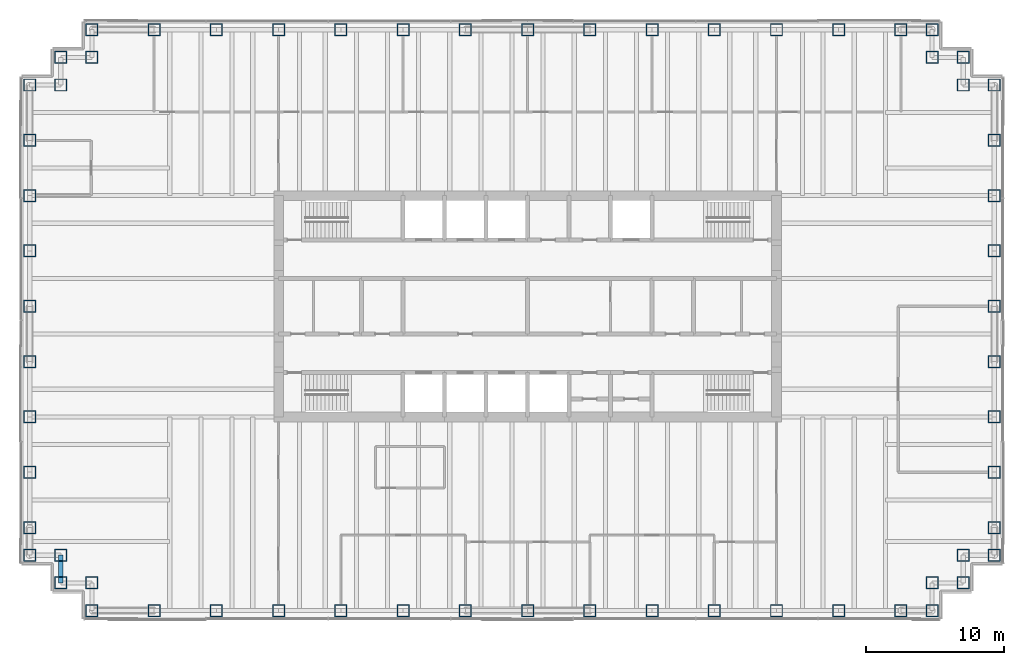
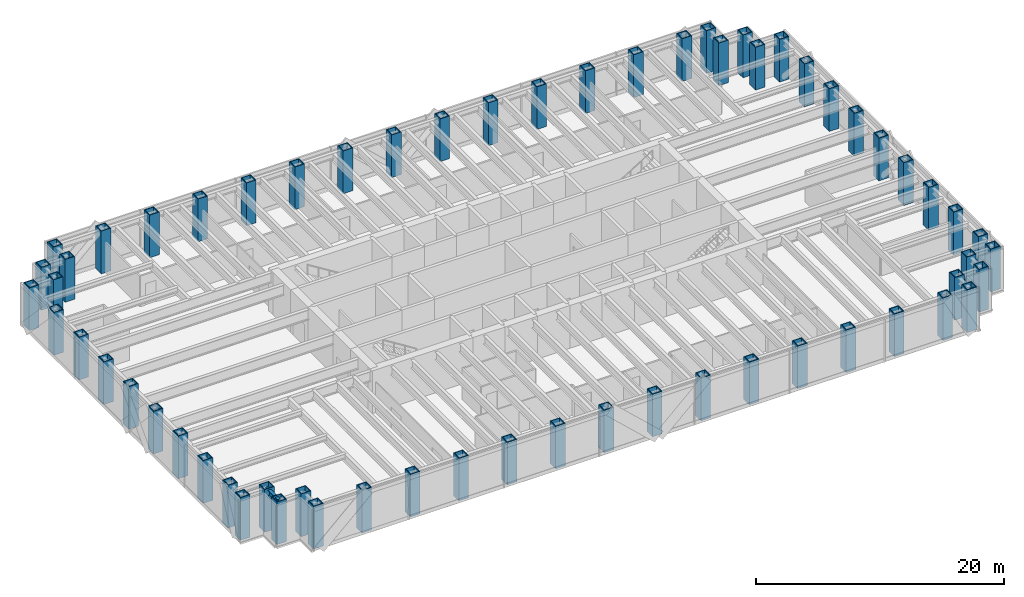
# One storey, part 1 of 15: 62 columns, 1 beam.
"""IFC4 building model written with IfcOpenShell, lengths in metres."""

import ifcopenshell
import ifcopenshell.guid

model = None  # the IFC model being written
_history = None  # IfcOwnerHistory: only IFC2X3 demands one
_inside = {}  # id of a spatial element -> (the spatial element, [elements in it])
_under = {}  # id of a project, library or spatial element -> (it, [spatial elements below it])
_declared = {}  # id of a project -> (the project, [libraries it declares])
_typed = {}  # id of a type object -> (the type object, [elements of that type])
_made_of = {}  # id of a material, layer set ... -> (it, [elements and type objects made of it])


def new_model(schema):
    """Start an empty IFC model of exactly this schema.

    Asked for "IFC4X3", IfcOpenShell would pick the latest addendum, in which some entities
    have other attributes; the version numbers below select the first issue.
    IFC2X3 requires an IfcOwnerHistory on every rooted entity: one is made here for all.
    """
    global model, _history
    if schema == "IFC4X3":
        model = ifcopenshell.file(schema_version=(4, 3, 0, 0))
    else:
        model = ifcopenshell.file(schema=schema)
    _inside.clear()
    _under.clear()
    _declared.clear()
    _typed.clear()
    _made_of.clear()
    _history = None
    if model.schema == "IFC2X3":
        org = make("IfcOrganization", Name="unknown")
        user = make(
            "IfcPersonAndOrganization",
            ThePerson=make("IfcPerson", FamilyName="unknown"),
            TheOrganization=org,
        )
        app = make(
            "IfcApplication",
            ApplicationDeveloper=org,
            Version="unknown",
            ApplicationFullName="unknown",
            ApplicationIdentifier="unknown",
        )
        _history = make(
            "IfcOwnerHistory",
            OwningUser=user,
            OwningApplication=app,
            ChangeAction="ADDED",
            CreationDate=0,
        )
    return model


def make(cls, **values):
    """One entity of the class cls with the attributes given. An attribute that is None is left unset."""
    return model.create_entity(
        cls, **{name: value for name, value in values.items() if value is not None}
    )


def rooted(cls, **values):
    """An entity with a GlobalId (a new one), such as an element, a storey or a relation."""
    return make(cls, GlobalId=ifcopenshell.guid.new(), OwnerHistory=_history, **values)


def si_unit(unit_type, name, prefix=None):
    """IfcSIUnit, for example si_unit("LENGTHUNIT", "METRE", prefix="MILLI")."""
    return make("IfcSIUnit", UnitType=unit_type, Prefix=prefix, Name=name)


def assignment(units):
    """IfcUnitAssignment: the units of a project."""
    return None if units is None else make("IfcUnitAssignment", Units=units)


def point(xyz):
    """IfcCartesianPoint."""
    return None if xyz is None else make("IfcCartesianPoint", Coordinates=xyz)


def direction(xyz):
    """IfcDirection."""
    return None if xyz is None else make("IfcDirection", DirectionRatios=xyz)


def frame(location, z_axis=None, x_axis=None):
    """IfcAxis2Placement3D, a coordinate frame: its origin and axes. An axis left out is left unset."""
    return make(
        "IfcAxis2Placement3D",
        Location=point(location),
        Axis=direction(z_axis),
        RefDirection=direction(x_axis),
    )


def frame_2d(location, x_axis=None):
    """IfcAxis2Placement2D, a coordinate frame in the plane: its origin and x axis."""
    return make(
        "IfcAxis2Placement2D", Location=point(location), RefDirection=direction(x_axis)
    )


def origin():
    """The frame at (0, 0, 0) with its axes left unset."""
    return frame((0.0, 0.0, 0.0))


def origin_2d():
    """The frame at (0, 0) in the plane with its x axis left unset."""
    return frame_2d((0.0, 0.0))


def place(relative_to, where):
    """IfcLocalPlacement: puts the frame where relative to a parent placement (None: the world)."""
    return make(
        "IfcLocalPlacement", PlacementRelTo=relative_to, RelativePlacement=where
    )


def context(
    kind, dimensions, precision=None, world=None, true_north=None, identifier=None
):
    """IfcGeometricRepresentationContext, for example the 3D "Model" context."""
    return make(
        "IfcGeometricRepresentationContext",
        ContextIdentifier=identifier,
        ContextType=kind,
        CoordinateSpaceDimension=dimensions,
        Precision=precision,
        WorldCoordinateSystem=world,
        TrueNorth=true_north,
    )


def subcontext(parent, identifier, kind, view, scale=None):
    """IfcGeometricRepresentationSubContext, for example "Body" below "Model"."""
    return make(
        "IfcGeometricRepresentationSubContext",
        ContextIdentifier=identifier,
        ContextType=kind,
        ParentContext=parent,
        TargetScale=scale,
        TargetView=view,
    )


def project(units=None, contexts=None):
    """IfcProject with its units and contexts."""
    return rooted(
        "IfcProject",
        Name="project",
        RepresentationContexts=contexts,
        UnitsInContext=assignment(units),
    )


def spatial(cls, under=None, at=None, **own):
    """A site, building, storey or space (cls), placed at a placement, below another one or the project."""
    s = rooted(cls, ObjectPlacement=at, **own)
    if under is not None:
        _under.setdefault(under.id(), (under, []))[1].append(s)
    return s


def profile(cls, at=None, kind="AREA", **sizes):
    """A parametric profile (cls). Its sizes go by their IFC names, for example OverallWidth=200.0."""
    return make(cls, ProfileType=kind, Position=at, **sizes)


def hollow_rectangle(**sizes):
    """IfcRectangleHollowProfileDef."""
    return profile("IfcRectangleHollowProfileDef", **sizes)


def i_section(**sizes):
    """IfcIShapeProfileDef."""
    return profile("IfcIShapeProfileDef", **sizes)


def extrude(swept, where, along, depth):
    """IfcExtrudedAreaSolid: the profile swept, set in the frame where, extruded along a direction by depth."""
    return make(
        "IfcExtrudedAreaSolid",
        SweptArea=swept,
        Position=where,
        ExtrudedDirection=direction(along),
        Depth=depth,
    )


def shape(context_of_items, identifier, shape_type, items):
    """IfcShapeRepresentation: the items that make up one representation, for example the "Body"."""
    return make(
        "IfcShapeRepresentation",
        ContextOfItems=context_of_items,
        RepresentationIdentifier=identifier,
        RepresentationType=shape_type,
        Items=items,
    )


def material(Name=None, Category=None):
    """IfcMaterial."""
    return make("IfcMaterial", Name=Name, Category=Category)


def material_profile(
    of_material, cross_section, Name=None, Category=None, Priority=None
):
    """IfcMaterialProfile: a cross section and its material."""
    return make(
        "IfcMaterialProfile",
        Name=Name,
        Material=of_material,
        Profile=cross_section,
        Priority=Priority,
        Category=Category,
    )


def profile_set(profiles, Name=None, composite=None):
    """IfcMaterialProfileSet."""
    return make(
        "IfcMaterialProfileSet",
        Name=Name,
        MaterialProfiles=profiles,
        CompositeProfile=composite,
    )


def made_of(thing, what):
    """Note that an element or type object is made of a material, layer set ...; save() writes the relation."""
    if what is not None:
        _made_of.setdefault(what.id(), (what, []))[1].append(thing)
    return thing


def type_object(cls, material=None, **own):
    """A type object (cls), such as IfcWallType, which elements share."""
    return made_of(rooted(cls, **own), material)


def element(
    cls,
    number,
    at=None,
    inside=None,
    cuts=None,
    type_object=None,
    material=None,
    context=None,
    identifier="Body",
    shape_type=None,
    held_by="IfcProductDefinitionShape",
    body=None,
    shapes=None,
    **own,
):
    """One element of the class cls, such as IfcWall. Its Tag is "e" and its number.

    at: its placement. inside: the storey or other place that contains it. cuts: it is an
    opening in that element (IfcRelVoidsElement). A single representation is given by context,
    identifier, shape_type and body (its items); several are given by shapes. held_by: the class
    of the entity that holds the representations. save() writes the other relations.
    """
    e = rooted(cls, Tag="e%d" % number, ObjectPlacement=at, **own)
    if body is not None:
        shapes = [shape(context, identifier, shape_type, body)]
    if shapes is not None:
        e.Representation = make(held_by, Representations=shapes)
    if inside is not None:
        _inside.setdefault(inside.id(), (inside, []))[1].append(e)
    if cuts is not None:
        rooted(
            "IfcRelVoidsElement", RelatingBuildingElement=cuts, RelatedOpeningElement=e
        )
    if type_object is not None:
        _typed.setdefault(type_object.id(), (type_object, []))[1].append(e)
    return made_of(e, material)


def aggregate(whole, parts):
    """IfcRelAggregates: a whole, such as a stair, and the parts it consists of."""
    return rooted("IfcRelAggregates", RelatingObject=whole, RelatedObjects=parts)


def save(model, path):
    """Write the relations noted so far, then the file.

    IfcRelAggregates (storeys below a building ...), IfcRelContainedInSpatialStructure (elements
    in a storey), IfcRelDefinesByType, IfcRelAssociatesMaterial and IfcRelDeclares: one each for
    every whole, place, type object, material and project.
    """
    for whole, parts in _under.values():
        aggregate(whole, parts)
    for where, things in _inside.values():
        rooted(
            "IfcRelContainedInSpatialStructure",
            RelatedElements=things,
            RelatingStructure=where,
        )
    for kind, things in _typed.values():
        rooted("IfcRelDefinesByType", RelatedObjects=things, RelatingType=kind)
    for what, things in _made_of.values():
        rooted("IfcRelAssociatesMaterial", RelatedObjects=things, RelatingMaterial=what)
    for by, libraries in _declared.values():
        rooted("IfcRelDeclares", RelatingContext=by, RelatedDefinitions=libraries)
    model.write(path)


model = new_model("IFC4")

# Units and contexts
model_context = context("Model", 3, precision=1e-05, world=origin(), true_north=direction((0.0, 1.0)))
body_context = subcontext(model_context, "Body", "Model", "MODEL_VIEW")
ifc_project = project(units=[si_unit("LENGTHUNIT", "METRE"), si_unit("AREAUNIT", "SQUARE_METRE"), si_unit("VOLUMEUNIT", "CUBIC_METRE"), si_unit("PLANEANGLEUNIT", "RADIAN"), si_unit("MASSUNIT", "GRAM", prefix="KILO")], contexts=[model_context])

# Site, building, storey
site_placement = place(None, origin())
site = spatial("IfcSite", under=ifc_project, at=site_placement, CompositionType="ELEMENT")
building_placement = place(site_placement, origin())
building = spatial("IfcBuilding", under=site, at=building_placement, Name="Rheinbord Bourse Tower", CompositionType="ELEMENT")
storey_placement = place(building_placement, frame((0.0, 0.0, 275.300048828125)))
storey = spatial("IfcBuildingStorey", under=building, at=storey_placement, Name="L62", CompositionType="ELEMENT", Elevation=275.300048828125)

# Columns
ifc_material_1 = material(Name="Steel S460M", Category="steel")
ifc_material_profile_1 = material_profile(ifc_material_1, hollow_rectangle(XDim=0.89990234375, YDim=0.89990234375, WallThickness=0.070068359375, at=origin_2d()), Name="BOX 900x900x70")
ifc_profile_set_1 = profile_set([ifc_material_profile_1], Name="Steel S460M")
column_type = type_object("IfcColumnType", Name="TUBE COLUMN BOX 900x900x70", PredefinedType="COLUMN", material=ifc_profile_set_1)
for number, where, z_axis, x_axis, name in (
    (1, (4.5, 2.0, 0.0), (0.0, 0.0, 1.0), (0.0, 1.0, 0.0), "Column SW-E L62"),
    (2, (9.0, 2.0, 0.0), (0.0, 0.0, 1.0), (0.0, 1.0, 0.0), "Column S-9 L62"),
    (3, (13.5, 2.0, 0.0), (0.0, 0.0, 1.0), (0.0, 1.0, 0.0), "Column S-13.5 L62"),
    (4, (18.0, 2.0, 0.0), (0.0, 0.0, 1.0), (0.0, 1.0, 0.0), "Column S-18 L62"),
    (5, (22.5, 2.0, 0.0), (0.0, 0.0, 1.0), (0.0, 1.0, 0.0), "Column S-22.5 L62"),
    (6, (27.0, 2.0, 0.0), (0.0, 0.0, 1.0), (0.0, 1.0, 0.0), "Column S-27 L62"),
    (7, (31.5, 2.0, 0.0), (0.0, 0.0, 1.0), (0.0, 1.0, 0.0), "Column S-31.5 L62"),
    (8, (36.0, 2.0, 0.0), (0.0, 0.0, 1.0), (0.0, 1.0, 0.0), "Column S-36 L62"),
    (9, (40.5, 2.0, 0.0), (0.0, 0.0, 1.0), (0.0, 1.0, 0.0), "Column S-40.5 L62"),
    (10, (45.0, 2.0, 0.0), (0.0, 0.0, 1.0), (0.0, 1.0, 0.0), "Column S-45 L62"),
    (11, (49.5, 2.0, 0.0), (0.0, 0.0, 1.0), (0.0, 1.0, 0.0), "Column S-49.5 L62"),
    (12, (54.0, 2.0, 0.0), (0.0, 0.0, 1.0), (0.0, 1.0, 0.0), "Column S-54 L62"),
    (13, (58.5, 2.0, 0.0), (0.0, 0.0, 1.0), (0.0, 1.0, 0.0), "Column S-58.5 L62"),
    (14, (63.0, 2.0, 0.0), (0.0, 0.0, 1.0), (0.0, 1.0, 0.0), "Column S-63 L62"),
    (15, (65.25, 2.0, 0.0), (0.0, 0.0, 1.0), (0.0, 1.0, 0.0), "Column SE-E L62"),
    (16, (65.25, 4.0, 0.0), (0.0, 0.0, 1.0), (0.0, 1.0, 0.0), "Column SE-D L62"),
    (17, (67.5, 4.0, 0.0), (0.0, 0.0, 1.0), (1.0, 0.0, 0.0), "Column SE-C L62"),
    (18, (67.5, 6.0, 0.0), (0.0, 0.0, 1.0), (1.0, 0.0, 0.0), "Column SE-B L62"),
    (19, (69.75, 6.0, 0.0), (0.0, 0.0, 1.0), (1.0, 0.0, 0.0), "Column SE-A L62"),
    (20, (69.75, 8.0, 0.0), (0.0, 0.0, 1.0), (1.0, 0.0, 0.0), "Column E-8 L62"),
    (21, (69.75, 12.0, 0.0), (0.0, 0.0, 1.0), (1.0, 0.0, 0.0), "Column E-12 L62"),
    (22, (69.75, 16.0, 0.0), (0.0, 0.0, 1.0), (1.0, 0.0, 0.0), "Column E-16 L62"),
    (23, (69.75, 20.0, 0.0), (0.0, 0.0, 1.0), (1.0, 0.0, 0.0), "Column E-20 L62"),
    (24, (69.75, 24.0, 0.0), (0.0, 0.0, 1.0), (1.0, 0.0, 0.0), "Column E-24 L62"),
    (25, (69.75, 28.0, 0.0), (0.0, 0.0, 1.0), (1.0, 0.0, 0.0), "Column E-28 L62"),
    (26, (69.75, 32.0, 0.0), (0.0, 0.0, 1.0), (1.0, 0.0, 0.0), "Column E-32 L62"),
    (27, (69.75, 36.0, 0.0), (0.0, 0.0, 1.0), (1.0, 0.0, 0.0), "Column E-36 L62"),
    (28, (69.75, 40.0, 0.0), (0.0, 0.0, 1.0), (1.0, 0.0, 0.0), "Column NE-A L62"),
    (29, (67.5, 40.0, 0.0), (0.0, 0.0, 1.0), (1.0, 0.0, 0.0), "Column NE-B L62"),
    (30, (67.5, 42.0, 0.0), (0.0, 0.0, 1.0), (1.0, 0.0, 0.0), "Column NE-C L62"),
    (31, (65.25, 42.0, 0.0), (0.0, 0.0, 1.0), (0.0, 1.0, 0.0), "Column NE-D L62"),
    (32, (65.25, 44.0, 0.0), (0.0, 0.0, 1.0), (0.0, 1.0, 0.0), "Column NE-E L62"),
    (33, (63.0, 44.0, 0.0), (0.0, 0.0, 1.0), (0.0, 1.0, 0.0), "Column N-63 L62"),
    (34, (58.5, 44.0, 0.0), (0.0, 0.0, 1.0), (0.0, 1.0, 0.0), "Column N-58.5 L62"),
    (35, (54.0, 44.0, 0.0), (0.0, 0.0, 1.0), (0.0, 1.0, 0.0), "Column N-54 L62"),
    (36, (49.5, 44.0, 0.0), (0.0, 0.0, 1.0), (0.0, 1.0, 0.0), "Column N-49.5 L62"),
    (37, (45.0, 44.0, 0.0), (0.0, 0.0, 1.0), (0.0, 1.0, 0.0), "Column N-45 L62"),
    (38, (40.5, 44.0, 0.0), (0.0, 0.0, 1.0), (0.0, 1.0, 0.0), "Column N-40.5 L62"),
    (39, (36.0, 44.0, 0.0), (0.0, 0.0, 1.0), (0.0, 1.0, 0.0), "Column N-36 L62"),
    (40, (31.5, 44.0, 0.0), (0.0, 0.0, 1.0), (0.0, 1.0, 0.0), "Column N-31.5 L62"),
    (41, (27.0, 44.0, 0.0), (0.0, 0.0, 1.0), (0.0, 1.0, 0.0), "Column N-27 L62"),
    (42, (22.5, 44.0, 0.0), (0.0, 0.0, 1.0), (0.0, 1.0, 0.0), "Column N-22.5 L62"),
    (43, (18.0, 44.0, 0.0), (0.0, 0.0, 1.0), (0.0, 1.0, 0.0), "Column N-18 L62"),
    (44, (13.5, 44.0, 0.0), (0.0, 0.0, 1.0), (0.0, 1.0, 0.0), "Column N-13.5 L62"),
    (45, (9.0, 44.0, 0.0), (0.0, 0.0, 1.0), (0.0, 1.0, 0.0), "Column N-9 L62"),
    (46, (4.5, 44.0, 0.0), (0.0, 0.0, 1.0), (0.0, 1.0, 0.0), "Column NW-E L62"),
    (47, (4.5, 42.0, 0.0), (0.0, 0.0, 1.0), (0.0, 1.0, 0.0), "Column NW-D L62"),
    (48, (2.25, 42.0, 0.0), (0.0, 0.0, 1.0), (1.0, 0.0, 0.0), "Column NW-C L62"),
    (49, (2.25, 40.0, 0.0), (0.0, 0.0, 1.0), (1.0, 0.0, 0.0), "Column NW-B L62"),
    (50, (0.0, 40.0, 0.0), (0.0, 0.0, 1.0), (1.0, 0.0, 0.0), "Column NW-A L62"),
    (51, (0.0, 36.0, 0.0), (0.0, 0.0, 1.0), (1.0, 0.0, 0.0), "Column W-36 L62"),
    (52, (0.0, 32.0, 0.0), (0.0, 0.0, 1.0), (1.0, 0.0, 0.0), "Column W-32 L62"),
    (53, (0.0, 28.0, 0.0), (0.0, 0.0, 1.0), (1.0, 0.0, 0.0), "Column W-28 L62"),
    (54, (0.0, 24.0, 0.0), (0.0, 0.0, 1.0), (1.0, 0.0, 0.0), "Column W-24 L62"),
    (55, (0.0, 20.0, 0.0), (0.0, 0.0, 1.0), (1.0, 0.0, 0.0), "Column W-20 L62"),
    (56, (0.0, 16.0, 0.0), (0.0, 0.0, 1.0), (1.0, 0.0, 0.0), "Column W-16 L62"),
    (57, (0.0, 12.0, 0.0), (0.0, 0.0, 1.0), (1.0, 0.0, 0.0), "Column W-12 L62"),
    (58, (0.0, 8.0, 0.0), (0.0, 0.0, 1.0), (1.0, 0.0, 0.0), "Column W-8 L62"),
    (59, (0.0, 6.0, 0.0), (0.0, 0.0, 1.0), (1.0, 0.0, 0.0), "Column SW-A L62"),
    (60, (2.25, 6.0, 0.0), (0.0, 0.0, 1.0), (1.0, 0.0, 0.0), "Column SW-B L62"),
    (61, (2.25, 4.0, 0.0), (0.0, 0.0, 1.0), (1.0, 0.0, 0.0), "Column SW-C L62"),
    (62, (4.5, 4.0, 0.0), (0.0, 0.0, 1.0), (0.0, 1.0, 0.0), "Column SW-D L62"),
):
    element("IfcColumn", number, at=place(storey_placement, frame(where, z_axis=z_axis, x_axis=x_axis)), inside=storey, type_object=column_type, Name=name, PredefinedType="COLUMN", context=body_context, shape_type="SweptSolid", body=[
        extrude(hollow_rectangle(XDim=0.89990234375, YDim=0.89990234375, WallThickness=0.070068359375, at=origin_2d()), origin(), (0.0, 0.0, 1.0), 4.199951171875),
    ])

# Beam
ifc_material_2 = material(Name="Steel S460", Category="steel")
ifc_material_profile_2 = material_profile(ifc_material_2, i_section(OverallWidth=0.300048828125, OverallDepth=0.550048828125, WebThickness=0.014892578125, FlangeThickness=0.029052734375, at=origin_2d()), Name="HEB 550")
ifc_profile_set_2 = profile_set([ifc_material_profile_2], Name="Steel S460")
beam_type = type_object("IfcBeamType", Name="SPANDREL HEB 550", PredefinedType="SPANDREL", material=ifc_profile_set_2)
beam_placement = place(storey_placement, frame((2.25, 6.0, 3.764892578125), z_axis=(0.0, -1.0, 0.0), x_axis=(1.0, 0.0, 0.0)))
element("IfcBeam", 63, at=beam_placement, inside=storey, type_object=beam_type, Name="Spandrel SW-B-SW-C under L63", PredefinedType="SPANDREL", context=body_context, shape_type="SweptSolid", body=[
    extrude(i_section(OverallWidth=0.300048828125, OverallDepth=0.550048828125, WebThickness=0.014892578125, FlangeThickness=0.029052734375, at=origin_2d()), origin(), (0.0, 0.0, 1.0), 2.0),
])

save(model, "model.ifc")
